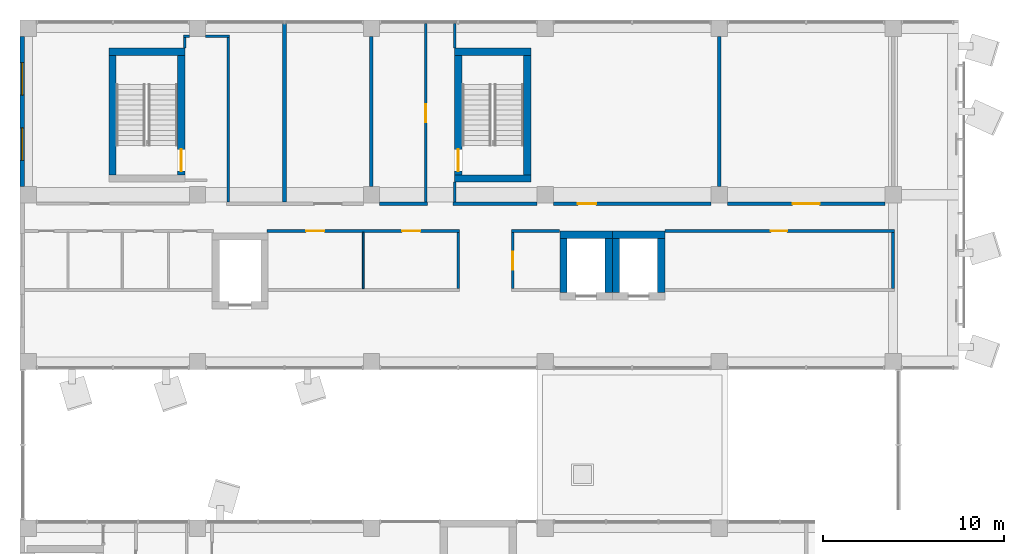
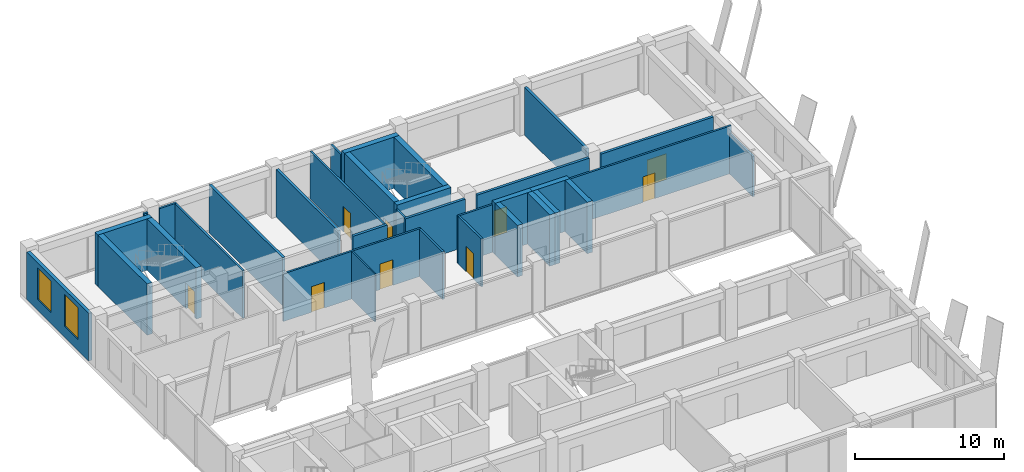
# One storey, part 30 of 38: 35 walls, 9 doors, 2 windows, 11 openings.
"""IFC4 building model written with IfcOpenShell, lengths in metres."""

from ifc_helpers import new_model, si_unit, direction, frame, frame_2d, origin, place, context, subcontext, project, spatial, rectangle, extrude, material, layer, layer_set, layer_usage, type_object, element, fill, save


model = new_model("IFC4")

# Units and contexts
model_context = context("Model", 3, precision=1e-05, world=origin(), true_north=direction((0.0, 1.0)))
body_context = subcontext(model_context, "Body", "Model", "MODEL_VIEW")
ifc_project = project(units=[si_unit("LENGTHUNIT", "METRE"), si_unit("AREAUNIT", "SQUARE_METRE"), si_unit("VOLUMEUNIT", "CUBIC_METRE"), si_unit("PLANEANGLEUNIT", "RADIAN"), si_unit("MASSUNIT", "GRAM", prefix="KILO")], contexts=[model_context])

# Site, building, storey
site_placement = place(None, origin())
site = spatial("IfcSite", under=ifc_project, at=site_placement, CompositionType="ELEMENT")
building_placement = place(site_placement, origin())
building = spatial("IfcBuilding", under=site, at=building_placement, Name="Nzadi Deep Aquarium and Research Tower", CompositionType="ELEMENT")
storey_placement = place(building_placement, frame((0.0, 0.0, 52.89990234375)))
storey = spatial("IfcBuildingStorey", under=building, at=storey_placement, Name="L10", CompositionType="ELEMENT", Elevation=52.89990234375)

# Wall, openings, windows
ifc_material_1 = material(Name="Concrete C35/45", Category="concrete")
ifc_layer_1 = layer(ifc_material_1, 0.14990234375, Category="cladding")
ifc_material_2 = material(Name="Mineral wool insulation")
ifc_layer_2 = layer(ifc_material_2, 0.070068359375, Category="insulation")
ifc_material_3 = material(Name="Gypsum board lining")
ifc_layer_3 = layer(ifc_material_3, 0.030029296875, Category="lining")
ifc_layer_set_1 = layer_set([ifc_layer_1, ifc_layer_2, ifc_layer_3], Name="Concrete C35/45, Mineral wool insulation, Gypsum board lining")
ifc_layer_usage = layer_usage(ifc_layer_set_1, "AXIS2", "POSITIVE", -0.125)
wall_type_1 = type_object("IfcWallType", Name="End wall board-formed concrete 250", PredefinedType="ELEMENTEDWALL", material=ifc_layer_set_1)
wall_1_placement = place(storey_placement, frame((-0.074462890625, 45.550048828125, 0.0), z_axis=(0.0, 0.0, 1.0), x_axis=(0.0, -1.0, 0.0)))
wall_1 = element("IfcWall", 1, at=wall_1_placement, inside=storey, type_object=wall_type_1, material=ifc_layer_usage, Name="End wall blade B west L10", PredefinedType="ELEMENTEDWALL", context=body_context, shape_type="SweptSolid", body=[
    extrude(rectangle(XDim=8.300048828125, YDim=0.25, at=frame_2d((4.14990234375, 0.0))), origin(), (0.0, 0.0, 1.0), 3.900146484375),
])
opening_1_placement = place(wall_1_placement, frame((5.050048828125, 0.0, 0.89990234375)))
opening_1 = element("IfcOpeningElement", 2, at=opening_1_placement, cuts=wall_1, Name="Opening WN01", PredefinedType="OPENING", context=body_context, shape_type="SweptSolid", body=[
    extrude(rectangle(XDim=1.800048828125, YDim=2.60009765625, at=frame_2d((0.89990234375, 1.300048828125))), frame((0.0, 0.135009765625, 0.0), z_axis=(0.0, -1.0, 0.0), x_axis=(1.0, 0.0, 0.0)), (0.0, 0.0, 1.0), 0.27001953125),
])
opening_2_placement = place(wall_1_placement, frame((1.449951171875, 0.0, 0.89990234375)))
opening_2 = element("IfcOpeningElement", 3, at=opening_2_placement, cuts=wall_1, Name="Opening WN01", PredefinedType="OPENING", context=body_context, shape_type="SweptSolid", body=[
    extrude(rectangle(XDim=1.800048828125, YDim=2.60009765625, at=frame_2d((0.89990234375, 1.300048828125))), frame((0.0, 0.135009765625, 0.0), z_axis=(0.0, -1.0, 0.0), x_axis=(1.0, 0.0, 0.0)), (0.0, 0.0, 1.0), 0.27001953125),
])
ifc_material_4 = material(Name="Aluminium window, sage tint glazing", Category="aluminium")
window_type = type_object("IfcWindowType", Name="Slot window 1800x2600 sill 900", PartitioningType="SINGLE_PANEL", PredefinedType="WINDOW", material=ifc_material_4)
window_1_placement = place(opening_1_placement, origin())
window_1 = element("IfcWindow", 4, at=window_1_placement, inside=storey, type_object=window_type, Name="Slot window L10 BW", OverallHeight=2.60009765625, OverallWidth=1.800048828125, PartitioningType="SINGLE_PANEL", PredefinedType="WINDOW", context=body_context, shape_type="SweptSolid", body=[
    extrude(rectangle(XDim=1.800048828125, YDim=2.60009765625, at=frame_2d((0.89990234375, 1.300048828125))), frame((0.0, 0.030029296875, 0.0), z_axis=(0.0, -1.0, 0.0), x_axis=(1.0, 0.0, 0.0)), (0.0, 0.0, 1.0), 0.06005859375),
])
fill(opening_1, window_1)
window_2_placement = place(opening_2_placement, origin())
window_2 = element("IfcWindow", 5, at=window_2_placement, inside=storey, type_object=window_type, Name="Slot window L10 BW", OverallHeight=2.60009765625, OverallWidth=1.800048828125, PartitioningType="SINGLE_PANEL", PredefinedType="WINDOW", context=body_context, shape_type="SweptSolid", body=[
    extrude(rectangle(XDim=1.800048828125, YDim=2.60009765625, at=frame_2d((0.89990234375, 1.300048828125))), frame((0.0, 0.030029296875, 0.0), z_axis=(0.0, -1.0, 0.0), x_axis=(1.0, 0.0, 0.0)), (0.0, 0.0, 1.0), 0.06005859375),
])
fill(opening_2, window_2)

# Walls
ifc_material_5 = material(Name="Blockwork masonry", Category="masonry")
ifc_layer_4 = layer(ifc_material_5, 0.10009765625)
ifc_layer_set_2 = layer_set([ifc_layer_4], Name="Blockwork masonry")
wall_type_2 = type_object("IfcWallType", Name="Partition 100 EI 30", PredefinedType="PARTITIONING", material=ifc_layer_set_2)
wall_2_placement = place(storey_placement, frame((18.75, 31.625, 0.0), z_axis=(0.0, 0.0, 1.0), x_axis=(0.0, 1.0, 0.0)))
element("IfcWall", 6, at=wall_2_placement, inside=storey, type_object=wall_type_2, Name="W-Z1-L10-P026", PredefinedType="PARTITIONING", context=body_context, shape_type="SweptSolid", body=[
    extrude(rectangle(XDim=3.10009765625, YDim=0.10009765625, at=frame_2d((1.550048828125, 0.0))), origin(), (0.0, 0.0, 1.0), 3.900146484375),
])
ifc_material_6 = material(Name="Blockwork masonry", Category="masonry")
ifc_layer_5 = layer(ifc_material_6, 0.14990234375)
ifc_layer_set_3 = layer_set([ifc_layer_5], Name="Blockwork masonry")
wall_type_3 = type_object("IfcWallType", Name="Partition 150 EI 60", PredefinedType="PARTITIONING", material=ifc_layer_set_3)
wall_3_placement = place(storey_placement, frame((8.89990234375, 44.906005859375, 0.0), z_axis=(0.0, 0.0, 1.0), x_axis=(0.0, 1.0, 0.0)))
element("IfcWall", 7, at=wall_3_placement, inside=storey, type_object=wall_type_3, Name="W-Z1-L10-P013", PredefinedType="PARTITIONING", context=body_context, shape_type="SweptSolid", body=[
    extrude(rectangle(XDim=0.569091796875, YDim=0.14990234375, at=frame_2d((0.28466796875, 0.0))), origin(), (0.0, 0.0, 1.0), 3.900146484375),
])
wall_4_placement = place(storey_placement, frame((8.824951171875, 45.550048828125, 0.0), z_axis=(0.0, 0.0, 1.0), x_axis=(1.0, 0.0, 0.0)))
element("IfcWall", 8, at=wall_4_placement, inside=storey, type_object=wall_type_3, Name="W-Z1-L10-P014", PredefinedType="PARTITIONING", context=body_context, shape_type="SweptSolid", body=[
    extrude(rectangle(XDim=0.324951171875, YDim=0.14990234375, at=frame_2d((0.16259765625, 0.0))), origin(), (0.0, 0.0, 1.0), 3.900146484375),
])
wall_5_placement = place(storey_placement, frame((10.050048828125, 45.550048828125, 0.0), z_axis=(0.0, 0.0, 1.0), x_axis=(1.0, 0.0, 0.0)))
element("IfcWall", 9, at=wall_5_placement, inside=storey, type_object=wall_type_3, Name="W-Z1-L10-P018", PredefinedType="PARTITIONING", context=body_context, shape_type="SweptSolid", body=[
    extrude(rectangle(XDim=1.324951171875, YDim=0.14990234375, at=frame_2d((0.66259765625, 0.0))), origin(), (0.0, 0.0, 1.0), 3.900146484375),
])
wall_6_placement = place(storey_placement, frame((11.300048828125, 36.39990234375, 0.0), z_axis=(0.0, 0.0, 1.0), x_axis=(0.0, 1.0, 0.0)))
element("IfcWall", 10, at=wall_6_placement, inside=storey, type_object=wall_type_3, Name="W-Z1-L10-P021", PredefinedType="PARTITIONING", context=body_context, shape_type="SweptSolid", body=[
    extrude(rectangle(XDim=9.0751953125, YDim=0.14990234375, at=frame_2d((4.53759765625, 0.0))), origin(), (0.0, 0.0, 1.0), 3.900146484375),
])

# Wall, openings, doors
wall_7_placement = place(storey_placement, frame((13.425048828125, 34.800048828125, 0.0), z_axis=(0.0, 0.0, 1.0), x_axis=(1.0, 0.0, 0.0)))
wall_7 = element("IfcWall", 11, at=wall_7_placement, inside=storey, type_object=wall_type_3, Name="W-Z1-L10-P022", PredefinedType="PARTITIONING", context=body_context, shape_type="SweptSolid", body=[
    extrude(rectangle(XDim=10.64990234375, YDim=0.14990234375, at=frame_2d((5.324951171875, 0.0))), origin(), (0.0, 0.0, 1.0), 3.900146484375),
])
opening_3_placement = place(wall_7_placement, frame((2.175048828125, 0.0, 0.0)))
opening_3 = element("IfcOpeningElement", 12, at=opening_3_placement, cuts=wall_7, Name="Opening D111017", PredefinedType="OPENING", context=body_context, shape_type="SweptSolid", body=[
    extrude(rectangle(XDim=1.0, YDim=2.10009765625, at=frame_2d((0.5, 1.050048828125))), frame((0.0, 0.0849609375, 0.0), z_axis=(0.0, -1.0, 0.0), x_axis=(1.0, 0.0, 0.0)), (0.0, 0.0, 1.0), 0.169921875),
])
opening_4_placement = place(wall_7_placement, frame((7.47509765625, 0.0, 0.0)))
opening_4 = element("IfcOpeningElement", 13, at=opening_4_placement, cuts=wall_7, Name="Opening D111018", PredefinedType="OPENING", context=body_context, shape_type="SweptSolid", body=[
    extrude(rectangle(XDim=1.0, YDim=2.10009765625, at=frame_2d((0.5, 1.050048828125))), frame((0.0, 0.0849609375, 0.0), z_axis=(0.0, -1.0, 0.0), x_axis=(1.0, 0.0, 0.0)), (0.0, 0.0, 1.0), 0.169921875),
])
ifc_material_7 = material(Name="Fire-rated steel door", Category="steel")
ifc_layer_6 = layer(ifc_material_7, 0.050048828125)
ifc_layer_set_4 = layer_set([ifc_layer_6], Name="Fire-rated steel door")
door_type_1 = type_object("IfcDoorType", Name="Door 1000x2100 EI 60 single", OperationType="SINGLE_SWING_LEFT", PredefinedType="DOOR", material=ifc_layer_set_4)
door_1_placement = place(opening_3_placement, origin())
door_1 = element("IfcDoor", 14, at=door_1_placement, inside=storey, type_object=door_type_1, Name="D111017", OperationType="SINGLE_SWING_RIGHT", OverallHeight=2.10009765625, OverallWidth=1.0, PredefinedType="DOOR", context=body_context, shape_type="SweptSolid", body=[
    extrude(rectangle(XDim=1.0, YDim=2.10009765625, at=frame_2d((0.5, 1.050048828125))), frame((0.0, 0.02490234375, 0.0), z_axis=(0.0, -1.0, 0.0), x_axis=(1.0, 0.0, 0.0)), (0.0, 0.0, 1.0), 0.050048828125),
])
fill(opening_3, door_1)
door_2_placement = place(opening_4_placement, origin())
door_2 = element("IfcDoor", 15, at=door_2_placement, inside=storey, type_object=door_type_1, Name="D111018", OperationType="SINGLE_SWING_RIGHT", OverallHeight=2.10009765625, OverallWidth=1.0, PredefinedType="DOOR", context=body_context, shape_type="SweptSolid", body=[
    extrude(rectangle(XDim=1.0, YDim=2.10009765625, at=frame_2d((0.5, 1.050048828125))), frame((0.0, 0.02490234375, 0.0), z_axis=(0.0, -1.0, 0.0), x_axis=(1.0, 0.0, 0.0)), (0.0, 0.0, 1.0), 0.050048828125),
])
fill(opening_4, door_2)

# Wall, opening, door
wall_8_placement = place(storey_placement, frame((22.199951171875, 36.39990234375, 0.0), z_axis=(0.0, 0.0, 1.0), x_axis=(0.0, 1.0, 0.0)))
wall_8 = element("IfcWall", 16, at=wall_8_placement, inside=storey, type_object=wall_type_3, Name="W-Z1-L10-P029", PredefinedType="PARTITIONING", context=body_context, shape_type="SweptSolid", body=[
    extrude(rectangle(XDim=9.843994140625, YDim=0.14990234375, at=frame_2d((4.921875, 0.0))), origin(), (0.0, 0.0, 1.0), 3.900146484375),
])
opening_5_placement = place(wall_8_placement, frame((4.39990234375, 0.0, 0.0)))
opening_5 = element("IfcOpeningElement", 17, at=opening_5_placement, cuts=wall_8, Name="Opening D111023", PredefinedType="OPENING", context=body_context, shape_type="SweptSolid", body=[
    extrude(rectangle(XDim=1.0, YDim=2.10009765625, at=frame_2d((0.5, 1.050048828125))), frame((0.0, 0.0849609375, 0.0), z_axis=(0.0, -1.0, 0.0), x_axis=(1.0, 0.0, 0.0)), (0.0, 0.0, 1.0), 0.169921875),
])
door_3_placement = place(opening_5_placement, origin())
door_3 = element("IfcDoor", 18, at=door_3_placement, inside=storey, type_object=door_type_1, Name="D111023", OperationType="SINGLE_SWING_RIGHT", OverallHeight=2.10009765625, OverallWidth=1.0, PredefinedType="DOOR", context=body_context, shape_type="SweptSolid", body=[
    extrude(rectangle(XDim=1.0, YDim=2.10009765625, at=frame_2d((0.5, 1.050048828125))), frame((0.0, 0.02490234375, 0.0), z_axis=(0.0, -1.0, 0.0), x_axis=(1.0, 0.0, 0.0)), (0.0, 0.0, 1.0), 0.050048828125),
])
fill(opening_5, door_3)

# Walls
wall_9_placement = place(storey_placement, frame((23.800048828125, 36.39990234375, 0.0), z_axis=(0.0, 0.0, 1.0), x_axis=(0.0, 1.0, 0.0)))
element("IfcWall", 19, at=wall_9_placement, inside=storey, type_object=wall_type_3, Name="W-Z1-L10-P031", PredefinedType="PARTITIONING", context=body_context, shape_type="SweptSolid", body=[
    extrude(rectangle(XDim=1.093994140625, YDim=0.14990234375, at=frame_2d((0.546875, 0.0))), origin(), (0.0, 0.0, 1.0), 3.900146484375),
])
wall_10_placement = place(storey_placement, frame((23.800048828125, 44.906005859375, 0.0), z_axis=(0.0, 0.0, 1.0), x_axis=(0.0, 1.0, 0.0)))
element("IfcWall", 20, at=wall_10_placement, inside=storey, type_object=wall_type_3, Name="W-Z1-L10-P032", PredefinedType="PARTITIONING", context=body_context, shape_type="SweptSolid", body=[
    extrude(rectangle(XDim=1.337890625, YDim=0.14990234375, at=frame_2d((0.6689453125, 0.0))), origin(), (0.0, 0.0, 1.0), 3.900146484375),
])
wall_11_placement = place(storey_placement, frame((24.0, 31.625, 0.0), z_axis=(0.0, 0.0, 1.0), x_axis=(0.0, 1.0, 0.0)))
element("IfcWall", 21, at=wall_11_placement, inside=storey, type_object=wall_type_3, Name="W-Z1-L10-P033", PredefinedType="PARTITIONING", context=body_context, shape_type="SweptSolid", body=[
    extrude(rectangle(XDim=3.10009765625, YDim=0.14990234375, at=frame_2d((1.550048828125, 0.0))), origin(), (0.0, 0.0, 1.0), 3.900146484375),
])

# Wall, opening, door
wall_12_placement = place(storey_placement, frame((27.0, 31.625, 0.0), z_axis=(0.0, 0.0, 1.0), x_axis=(0.0, 1.0, 0.0)))
wall_12 = element("IfcWall", 22, at=wall_12_placement, inside=storey, type_object=wall_type_3, Name="W-Z1-L10-P035", PredefinedType="PARTITIONING", context=body_context, shape_type="SweptSolid", body=[
    extrude(rectangle(XDim=3.10009765625, YDim=0.14990234375, at=frame_2d((1.550048828125, 0.0))), origin(), (0.0, 0.0, 1.0), 3.900146484375),
])
opening_6_placement = place(wall_12_placement, frame((1.02490234375, 0.0, 0.0)))
opening_6 = element("IfcOpeningElement", 23, at=opening_6_placement, cuts=wall_12, Name="Opening D111019", PredefinedType="OPENING", context=body_context, shape_type="SweptSolid", body=[
    extrude(rectangle(XDim=1.0, YDim=2.10009765625, at=frame_2d((0.5, 1.050048828125))), frame((0.0, 0.0849609375, 0.0), z_axis=(0.0, -1.0, 0.0), x_axis=(1.0, 0.0, 0.0)), (0.0, 0.0, 1.0), 0.169921875),
])
door_4_placement = place(opening_6_placement, origin())
door_4 = element("IfcDoor", 24, at=door_4_placement, inside=storey, type_object=door_type_1, Name="D111019", OperationType="SINGLE_SWING_LEFT", OverallHeight=2.10009765625, OverallWidth=1.0, PredefinedType="DOOR", context=body_context, shape_type="SweptSolid", body=[
    extrude(rectangle(XDim=1.0, YDim=2.10009765625, at=frame_2d((0.5, 1.050048828125))), frame((0.0, 0.02490234375, 0.0), z_axis=(0.0, -1.0, 0.0), x_axis=(1.0, 0.0, 0.0)), (0.0, 0.0, 1.0), 0.050048828125),
])
fill(opening_6, door_4)

# Wall
wall_13_placement = place(storey_placement, frame((26.925048828125, 34.800048828125, 0.0), z_axis=(0.0, 0.0, 1.0), x_axis=(1.0, 0.0, 0.0)))
element("IfcWall", 25, at=wall_13_placement, inside=storey, type_object=wall_type_3, Name="W-Z1-L10-P036", PredefinedType="PARTITIONING", context=body_context, shape_type="SweptSolid", body=[
    extrude(rectangle(XDim=2.6689453125, YDim=0.14990234375, at=frame_2d((1.33447265625, 0.0))), origin(), (0.0, 0.0, 1.0), 3.900146484375),
])

# Wall, opening, door
wall_14_placement = place(storey_placement, frame((35.406005859375, 34.800048828125, 0.0), z_axis=(0.0, 0.0, 1.0), x_axis=(1.0, 0.0, 0.0)))
wall_14 = element("IfcWall", 26, at=wall_14_placement, inside=storey, type_object=wall_type_3, Name="W-Z1-L10-P041", PredefinedType="PARTITIONING", context=body_context, shape_type="SweptSolid", body=[
    extrude(rectangle(XDim=12.6689453125, YDim=0.14990234375, at=frame_2d((6.33447265625, 0.0))), origin(), (0.0, 0.0, 1.0), 3.900146484375),
])
opening_7_placement = place(wall_14_placement, frame((5.843994140625, 0.0, 0.0)))
opening_7 = element("IfcOpeningElement", 27, at=opening_7_placement, cuts=wall_14, Name="Opening D111020", PredefinedType="OPENING", context=body_context, shape_type="SweptSolid", body=[
    extrude(rectangle(XDim=0.89990234375, YDim=2.10009765625, at=frame_2d((0.449951171875, 1.050048828125))), frame((0.0, 0.0849609375, 0.0), z_axis=(0.0, -1.0, 0.0), x_axis=(1.0, 0.0, 0.0)), (0.0, 0.0, 1.0), 0.169921875),
])
ifc_material_8 = material(Name="Fire-rated steel door", Category="steel")
ifc_layer_7 = layer(ifc_material_8, 0.050048828125)
ifc_layer_set_5 = layer_set([ifc_layer_7], Name="Fire-rated steel door")
door_type_2 = type_object("IfcDoorType", Name="Door 900x2100 EI 60 single", OperationType="SINGLE_SWING_LEFT", PredefinedType="DOOR", material=ifc_layer_set_5)
door_5_placement = place(opening_7_placement, origin())
door_5 = element("IfcDoor", 28, at=door_5_placement, inside=storey, type_object=door_type_2, Name="D111020", OperationType="SINGLE_SWING_RIGHT", OverallHeight=2.10009765625, OverallWidth=0.89990234375, PredefinedType="DOOR", context=body_context, shape_type="SweptSolid", body=[
    extrude(rectangle(XDim=0.89990234375, YDim=2.10009765625, at=frame_2d((0.449951171875, 1.050048828125))), frame((0.0, 0.02490234375, 0.0), z_axis=(0.0, -1.0, 0.0), x_axis=(1.0, 0.0, 0.0)), (0.0, 0.0, 1.0), 0.050048828125),
])
fill(opening_7, door_5)

# Walls
ifc_material_9 = material(Name="Blockwork masonry", Category="masonry")
ifc_layer_8 = layer(ifc_material_9, 0.14990234375)
ifc_layer_set_6 = layer_set([ifc_layer_8], Name="Blockwork masonry")
wall_type_4 = type_object("IfcWallType", Name="Partition 150 EI 60, 3.30 m high", PredefinedType="PARTITIONING", material=ifc_layer_set_6)
wall_15_placement = place(storey_placement, frame((48.0, 31.625, 0.0), z_axis=(0.0, 0.0, 1.0), x_axis=(0.0, 1.0, 0.0)))
element("IfcWall", 29, at=wall_15_placement, inside=storey, type_object=wall_type_4, Name="W-Z1-L10-P047", PredefinedType="PARTITIONING", context=body_context, shape_type="SweptSolid", body=[
    extrude(rectangle(XDim=3.10009765625, YDim=0.14990234375, at=frame_2d((1.550048828125, 0.0))), origin(), (0.0, 0.0, 1.0), 3.300048828125),
])
ifc_material_10 = material(Name="Blockwork masonry", Category="masonry")
ifc_layer_9 = layer(ifc_material_10, 0.199951171875)
ifc_layer_set_7 = layer_set([ifc_layer_9], Name="Blockwork masonry")
wall_type_5 = type_object("IfcWallType", Name="Partition 200 EI 120", PredefinedType="PARTITIONING", material=ifc_layer_set_7)
wall_16_placement = place(storey_placement, frame((14.39990234375, 36.39990234375, 0.0), z_axis=(0.0, 0.0, 1.0), x_axis=(0.0, 1.0, 0.0)))
element("IfcWall", 30, at=wall_16_placement, inside=storey, type_object=wall_type_5, Name="W-Z1-L10-P024", PredefinedType="PARTITIONING", context=body_context, shape_type="SweptSolid", body=[
    extrude(rectangle(XDim=9.843994140625, YDim=0.199951171875, at=frame_2d((4.921875, 0.0))), origin(), (0.0, 0.0, 1.0), 3.900146484375),
])
wall_17_placement = place(storey_placement, frame((19.199951171875, 37.25, 0.0), z_axis=(0.0, 0.0, 1.0), x_axis=(0.0, 1.0, 0.0)))
element("IfcWall", 31, at=wall_17_placement, inside=storey, type_object=wall_type_5, Name="W-Z1-L10-P027", PredefinedType="PARTITIONING", context=body_context, shape_type="SweptSolid", body=[
    extrude(rectangle(XDim=8.300048828125, YDim=0.199951171875, at=frame_2d((4.14990234375, 0.0))), origin(), (0.0, 0.0, 1.0), 3.900146484375),
])
wall_18_placement = place(storey_placement, frame((19.64990234375, 36.300048828125, 0.0), z_axis=(0.0, 0.0, 1.0), x_axis=(1.0, 0.0, 0.0)))
element("IfcWall", 32, at=wall_18_placement, inside=storey, type_object=wall_type_5, Name="W-Z1-L10-P028", PredefinedType="PARTITIONING", context=body_context, shape_type="SweptSolid", body=[
    extrude(rectangle(XDim=2.650146484375, YDim=0.199951171875, at=frame_2d((1.3251953125, 0.0))), origin(), (0.0, 0.0, 1.0), 3.900146484375),
])
wall_19_placement = place(storey_placement, frame((23.699951171875, 36.300048828125, 0.0), z_axis=(0.0, 0.0, 1.0), x_axis=(1.0, 0.0, 0.0)))
element("IfcWall", 33, at=wall_19_placement, inside=storey, type_object=wall_type_5, Name="W-Z1-L10-P030", PredefinedType="PARTITIONING", context=body_context, shape_type="SweptSolid", body=[
    extrude(rectangle(XDim=4.650146484375, YDim=0.199951171875, at=frame_2d((2.3251953125, 0.0))), origin(), (0.0, 0.0, 1.0), 3.900146484375),
])

# Wall, opening, door
wall_20_placement = place(storey_placement, frame((29.25, 36.300048828125, 0.0), z_axis=(0.0, 0.0, 1.0), x_axis=(1.0, 0.0, 0.0)))
wall_20 = element("IfcWall", 34, at=wall_20_placement, inside=storey, type_object=wall_type_5, Name="W-Z1-L10-P039", PredefinedType="PARTITIONING", context=body_context, shape_type="SweptSolid", body=[
    extrude(rectangle(XDim=8.699951171875, YDim=0.199951171875, at=frame_2d((4.35009765625, 0.0))), origin(), (0.0, 0.0, 1.0), 3.900146484375),
])
opening_8_placement = place(wall_20_placement, frame((1.35009765625, 0.0, 0.0)))
opening_8 = element("IfcOpeningElement", 35, at=opening_8_placement, cuts=wall_20, Name="Opening D111024", PredefinedType="OPENING", context=body_context, shape_type="SweptSolid", body=[
    extrude(rectangle(XDim=1.0, YDim=2.10009765625, at=frame_2d((0.5, 1.050048828125))), frame((0.0, 0.110107421875, 0.0), z_axis=(0.0, -1.0, 0.0), x_axis=(1.0, 0.0, 0.0)), (0.0, 0.0, 1.0), 0.22021484375),
])
ifc_material_11 = material(Name="Fire-rated steel door", Category="steel")
ifc_layer_10 = layer(ifc_material_11, 0.050048828125)
ifc_layer_set_8 = layer_set([ifc_layer_10], Name="Fire-rated steel door")
door_type_3 = type_object("IfcDoorType", Name="Door 1000x2100 EI 120 single", OperationType="SINGLE_SWING_LEFT", PredefinedType="DOOR", material=ifc_layer_set_8)
door_6_placement = place(opening_8_placement, origin())
door_6 = element("IfcDoor", 36, at=door_6_placement, inside=storey, type_object=door_type_3, Name="D111024", OperationType="SINGLE_SWING_LEFT", OverallHeight=2.10009765625, OverallWidth=1.0, PredefinedType="DOOR", context=body_context, shape_type="SweptSolid", body=[
    extrude(rectangle(XDim=1.0, YDim=2.10009765625, at=frame_2d((0.5, 1.050048828125))), frame((0.0, 0.02490234375, 0.0), z_axis=(0.0, -1.0, 0.0), x_axis=(1.0, 0.0, 0.0)), (0.0, 0.0, 1.0), 0.050048828125),
])
fill(opening_8, door_6)

# Wall
wall_21_placement = place(storey_placement, frame((38.39990234375, 37.25, 0.0), z_axis=(0.0, 0.0, 1.0), x_axis=(0.0, 1.0, 0.0)))
element("IfcWall", 37, at=wall_21_placement, inside=storey, type_object=wall_type_5, Name="W-Z1-L10-P043", PredefinedType="PARTITIONING", context=body_context, shape_type="SweptSolid", body=[
    extrude(rectangle(XDim=8.300048828125, YDim=0.199951171875, at=frame_2d((4.14990234375, 0.0))), origin(), (0.0, 0.0, 1.0), 3.900146484375),
])

# Wall, opening, door
wall_22_placement = place(storey_placement, frame((38.85009765625, 36.300048828125, 0.0), z_axis=(0.0, 0.0, 1.0), x_axis=(1.0, 0.0, 0.0)))
wall_22 = element("IfcWall", 38, at=wall_22_placement, inside=storey, type_object=wall_type_5, Name="W-Z1-L10-P044", PredefinedType="PARTITIONING", context=body_context, shape_type="SweptSolid", body=[
    extrude(rectangle(XDim=8.699951171875, YDim=0.199951171875, at=frame_2d((4.35009765625, 0.0))), origin(), (0.0, 0.0, 1.0), 3.900146484375),
])
opening_9_placement = place(wall_22_placement, frame((3.60009765625, 0.0, 0.0)))
opening_9 = element("IfcOpeningElement", 39, at=opening_9_placement, cuts=wall_22, Name="Opening D111025", PredefinedType="OPENING", context=body_context, shape_type="SweptSolid", body=[
    extrude(rectangle(XDim=1.5, YDim=2.10009765625, at=frame_2d((0.75, 1.050048828125))), frame((0.0, 0.110107421875, 0.0), z_axis=(0.0, -1.0, 0.0), x_axis=(1.0, 0.0, 0.0)), (0.0, 0.0, 1.0), 0.22021484375),
])
ifc_material_12 = material(Name="Fire-rated steel door", Category="steel")
ifc_layer_11 = layer(ifc_material_12, 0.050048828125)
ifc_layer_set_9 = layer_set([ifc_layer_11], Name="Fire-rated steel door")
door_type_4 = type_object("IfcDoorType", Name="Door 1500x2100 EI 120 double", OperationType="DOUBLE_DOOR_SINGLE_SWING", PredefinedType="DOOR", material=ifc_layer_set_9)
door_7_placement = place(opening_9_placement, origin())
door_7 = element("IfcDoor", 40, at=door_7_placement, inside=storey, type_object=door_type_4, Name="D111025", OperationType="DOUBLE_DOOR_SINGLE_SWING", OverallHeight=2.10009765625, OverallWidth=1.5, PredefinedType="DOOR", context=body_context, shape_type="SweptSolid", body=[
    extrude(rectangle(XDim=1.5, YDim=2.10009765625, at=frame_2d((0.75, 1.050048828125))), frame((0.0, 0.02490234375, 0.0), z_axis=(0.0, -1.0, 0.0), x_axis=(1.0, 0.0, 0.0)), (0.0, 0.0, 1.0), 0.050048828125),
])
fill(opening_9, door_7)

# Walls
ifc_material_13 = material(Name="Concrete C35/45", Category="concrete")
ifc_layer_12 = layer(ifc_material_13, 0.39990234375)
ifc_layer_set_10 = layer_set([ifc_layer_12], Name="Concrete C35/45")
wall_type_6 = type_object("IfcWallType", Name="RC core wall 400", PredefinedType="SHEAR", material=ifc_layer_set_10)
wall_23_placement = place(storey_placement, frame((4.699951171875, 44.699951171875, 0.0), z_axis=(0.0, 0.0, 1.0), x_axis=(1.0, 0.0, 0.0)))
element("IfcWall", 41, at=wall_23_placement, inside=storey, type_object=wall_type_6, Name="W-CORE-ST-Z1-NW-L10-N", PredefinedType="SHEAR", context=body_context, shape_type="SweptSolid", body=[
    extrude(rectangle(XDim=4.199951171875, YDim=0.39990234375, at=frame_2d((2.10009765625, 0.0))), origin(), (0.0, 0.0, 1.0), 4.2001953125),
])
wall_24_placement = place(storey_placement, frame((4.89990234375, 37.89990234375, 0.0), z_axis=(0.0, 0.0, 1.0), x_axis=(0.0, 1.0, 0.0)))
element("IfcWall", 42, at=wall_24_placement, inside=storey, type_object=wall_type_6, Name="W-CORE-ST-Z1-NW-L10-W", PredefinedType="SHEAR", context=body_context, shape_type="SweptSolid", body=[
    extrude(rectangle(XDim=6.60009765625, YDim=0.39990234375, at=frame_2d((3.300048828125, 0.0))), origin(), (0.0, 0.0, 1.0), 4.2001953125),
])

# Wall, opening, door
wall_25_placement = place(storey_placement, frame((8.699951171875, 37.89990234375, 0.0), z_axis=(0.0, 0.0, 1.0), x_axis=(0.0, 1.0, 0.0)))
wall_25 = element("IfcWall", 43, at=wall_25_placement, inside=storey, type_object=wall_type_6, Name="W-CORE-ST-Z1-NW-L10-E", PredefinedType="SHEAR", context=body_context, shape_type="SweptSolid", body=[
    extrude(rectangle(XDim=6.60009765625, YDim=0.39990234375, at=frame_2d((3.300048828125, 0.0))), origin(), (0.0, 0.0, 1.0), 4.2001953125),
])
opening_10_placement = place(wall_25_placement, frame((0.2099609375, 0.0, 0.0)))
opening_10 = element("IfcOpeningElement", 44, at=opening_10_placement, cuts=wall_25, Name="Opening DS-Z1-NW-L10", PredefinedType="OPENING", context=body_context, shape_type="SweptSolid", body=[
    extrude(rectangle(XDim=1.199951171875, YDim=2.10009765625, at=frame_2d((0.60009765625, 1.050048828125))), frame((0.0, 0.2099609375, 0.0), z_axis=(0.0, -1.0, 0.0), x_axis=(1.0, 0.0, 0.0)), (0.0, 0.0, 1.0), 0.419921875),
])
ifc_material_14 = material(Name="Steel, powder coated", Category="steel")
door_type_5 = type_object("IfcDoorType", Name="STAIR DOOR 1200x2100 EI 60", OperationType="SINGLE_SWING_LEFT", PredefinedType="DOOR", material=ifc_material_14)
door_8_placement = place(opening_10_placement, origin())
door_8 = element("IfcDoor", 45, at=door_8_placement, inside=storey, type_object=door_type_5, Name="Stair door ST-Z1-NW L10", OperationType="SINGLE_SWING_RIGHT", OverallHeight=2.10009765625, OverallWidth=1.199951171875, PredefinedType="DOOR", context=body_context, shape_type="SweptSolid", body=[
    extrude(rectangle(XDim=1.199951171875, YDim=2.10009765625, at=frame_2d((0.60009765625, 1.050048828125))), frame((0.0, 0.02490234375, 0.0), z_axis=(0.0, -1.0, 0.0), x_axis=(1.0, 0.0, 0.0)), (0.0, 0.0, 1.0), 0.050048828125),
])
fill(opening_10, door_8)

# Walls
for number, where, z_axis, x_axis, name in (
    (46, (23.800048828125, 37.699951171875, 0.0), (0.0, 0.0, 1.0), (1.0, 0.0, 0.0), "W-CORE-ST-Z1-NE-L10-S"),
    (47, (23.800048828125, 44.699951171875, 0.0), (0.0, 0.0, 1.0), (1.0, 0.0, 0.0), "W-CORE-ST-Z1-NE-L10-N"),
):
    element("IfcWall", number, at=place(storey_placement, frame(where, z_axis=z_axis, x_axis=x_axis)), inside=storey, type_object=wall_type_6, Name=name, PredefinedType="SHEAR", context=body_context, shape_type="SweptSolid", body=[
        extrude(rectangle(XDim=4.199951171875, YDim=0.39990234375, at=frame_2d((2.10009765625, 0.0))), origin(), (0.0, 0.0, 1.0), 4.2001953125),
    ])

# Wall, opening, door
wall_26_placement = place(storey_placement, frame((24.0, 37.89990234375, 0.0), z_axis=(0.0, 0.0, 1.0), x_axis=(0.0, 1.0, 0.0)))
wall_26 = element("IfcWall", 48, at=wall_26_placement, inside=storey, type_object=wall_type_6, Name="W-CORE-ST-Z1-NE-L10-W", PredefinedType="SHEAR", context=body_context, shape_type="SweptSolid", body=[
    extrude(rectangle(XDim=6.60009765625, YDim=0.39990234375, at=frame_2d((3.300048828125, 0.0))), origin(), (0.0, 0.0, 1.0), 4.2001953125),
])
opening_11_placement = place(wall_26_placement, frame((0.2099609375, 0.0, 0.0)))
opening_11 = element("IfcOpeningElement", 49, at=opening_11_placement, cuts=wall_26, Name="Opening DS-Z1-NE-L10", PredefinedType="OPENING", context=body_context, shape_type="SweptSolid", body=[
    extrude(rectangle(XDim=1.199951171875, YDim=2.10009765625, at=frame_2d((0.60009765625, 1.050048828125))), frame((0.0, 0.2099609375, 0.0), z_axis=(0.0, -1.0, 0.0), x_axis=(1.0, 0.0, 0.0)), (0.0, 0.0, 1.0), 0.419921875),
])
door_9_placement = place(opening_11_placement, origin())
door_9 = element("IfcDoor", 50, at=door_9_placement, inside=storey, type_object=door_type_5, Name="Stair door ST-Z1-NE L10", OperationType="SINGLE_SWING_LEFT", OverallHeight=2.10009765625, OverallWidth=1.199951171875, PredefinedType="DOOR", context=body_context, shape_type="SweptSolid", body=[
    extrude(rectangle(XDim=1.199951171875, YDim=2.10009765625, at=frame_2d((0.60009765625, 1.050048828125))), frame((0.0, 0.02490234375, 0.0), z_axis=(0.0, -1.0, 0.0), x_axis=(1.0, 0.0, 0.0)), (0.0, 0.0, 1.0), 0.050048828125),
])
fill(opening_11, door_9)

# Walls
wall_27_placement = place(storey_placement, frame((27.800048828125, 37.89990234375, 0.0), z_axis=(0.0, 0.0, 1.0), x_axis=(0.0, 1.0, 0.0)))
element("IfcWall", 51, at=wall_27_placement, inside=storey, type_object=wall_type_6, Name="W-CORE-ST-Z1-NE-L10-E", PredefinedType="SHEAR", context=body_context, shape_type="SweptSolid", body=[
    extrude(rectangle(XDim=6.60009765625, YDim=0.39990234375, at=frame_2d((3.300048828125, 0.0))), origin(), (0.0, 0.0, 1.0), 4.2001953125),
])
wall_28_placement = place(storey_placement, frame((29.60009765625, 34.60009765625, 0.0), z_axis=(0.0, 0.0, 1.0), x_axis=(1.0, 0.0, 0.0)))
element("IfcWall", 52, at=wall_28_placement, inside=storey, type_object=wall_type_6, Name="W-CORE-TL3-L10-N", PredefinedType="SHEAR", context=body_context, shape_type="SweptSolid", body=[
    extrude(rectangle(XDim=2.89990234375, YDim=0.39990234375, at=frame_2d((1.449951171875, 0.0))), origin(), (0.0, 0.0, 1.0), 4.2001953125),
])
for number, where, z_axis, x_axis, name in (
    (53, (29.800048828125, 31.39990234375, 0.0), (0.0, 0.0, 1.0), (0.0, 1.0, 0.0), "W-CORE-TL3-L10-W"),
    (54, (32.300048828125, 31.39990234375, 0.0), (0.0, 0.0, 1.0), (0.0, 1.0, 0.0), "W-CORE-TL3-L10-E"),
):
    element("IfcWall", number, at=place(storey_placement, frame(where, z_axis=z_axis, x_axis=x_axis)), inside=storey, type_object=wall_type_6, Name=name, PredefinedType="SHEAR", context=body_context, shape_type="SweptSolid", body=[
        extrude(rectangle(XDim=3.0, YDim=0.39990234375, at=frame_2d((1.5, 0.0))), origin(), (0.0, 0.0, 1.0), 4.2001953125),
    ])
wall_29_placement = place(storey_placement, frame((32.5, 34.60009765625, 0.0), z_axis=(0.0, 0.0, 1.0), x_axis=(1.0, 0.0, 0.0)))
element("IfcWall", 55, at=wall_29_placement, inside=storey, type_object=wall_type_6, Name="W-CORE-TL4-L10-N", PredefinedType="SHEAR", context=body_context, shape_type="SweptSolid", body=[
    extrude(rectangle(XDim=2.89990234375, YDim=0.39990234375, at=frame_2d((1.449951171875, 0.0))), origin(), (0.0, 0.0, 1.0), 4.2001953125),
])
for number, where, z_axis, x_axis, name in (
    (56, (32.699951171875, 31.39990234375, 0.0), (0.0, 0.0, 1.0), (0.0, 1.0, 0.0), "W-CORE-TL4-L10-W"),
    (57, (35.199951171875, 31.39990234375, 0.0), (0.0, 0.0, 1.0), (0.0, 1.0, 0.0), "W-CORE-TL4-L10-E"),
):
    element("IfcWall", number, at=place(storey_placement, frame(where, z_axis=z_axis, x_axis=x_axis)), inside=storey, type_object=wall_type_6, Name=name, PredefinedType="SHEAR", context=body_context, shape_type="SweptSolid", body=[
        extrude(rectangle(XDim=3.0, YDim=0.39990234375, at=frame_2d((1.5, 0.0))), origin(), (0.0, 0.0, 1.0), 4.2001953125),
    ])

save(model, "model.ifc")
